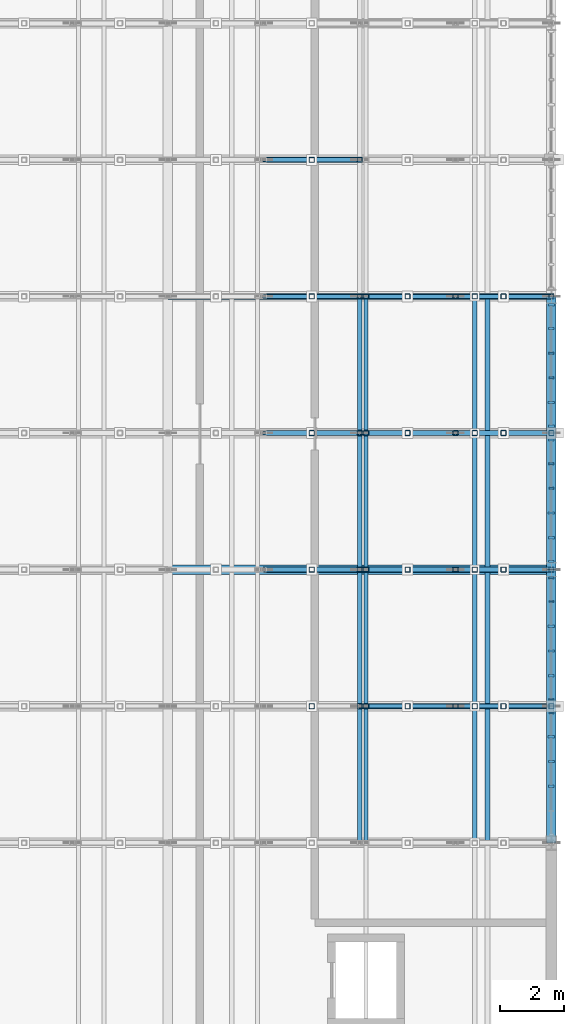
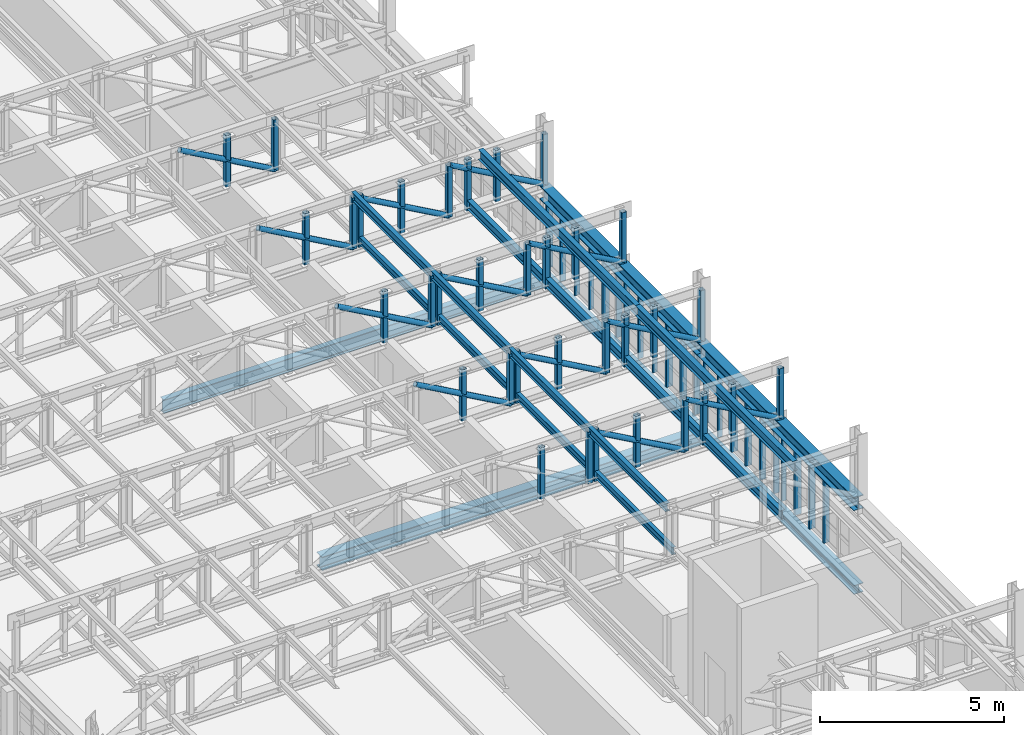
# One storey, part 50 of 128: 76 members, 6 beams, 4 elements without a shape of their own.
"""IFC4 building model written with IfcOpenShell, lengths in metres."""

from ifc_helpers import new_model, si_unit, direction, frame, origin, origin_2d, place, context, subcontext, project, spatial, rectangle, hollow_rectangle, hollow_circle, i_section, extrude, material, material_profile, profile_set, type_object, element, aggregate, save


model = new_model("IFC4")

# Units and contexts
model_context = context("Model", 3, precision=1e-05, world=origin(), true_north=direction((0.0, 1.0)))
body_context = subcontext(model_context, "Body", "Model", "MODEL_VIEW")
ifc_project = project(units=[si_unit("LENGTHUNIT", "METRE"), si_unit("AREAUNIT", "SQUARE_METRE"), si_unit("VOLUMEUNIT", "CUBIC_METRE"), si_unit("PLANEANGLEUNIT", "RADIAN"), si_unit("MASSUNIT", "GRAM", prefix="KILO")], contexts=[model_context])

# Site, building, storey
site_placement = place(None, origin())
site = spatial("IfcSite", under=ifc_project, at=site_placement, CompositionType="ELEMENT")
building_placement = place(site_placement, origin())
building = spatial("IfcBuilding", under=site, at=building_placement, Name="Serraforn Aerial Cableway Station", CompositionType="ELEMENT")
storey_placement = place(building_placement, frame((0.0, 0.0, 9.0)))
storey = spatial("IfcBuildingStorey", under=building, at=storey_placement, Name="L02", CompositionType="ELEMENT", Elevation=9.0)

# Beams
ifc_material_1 = material(Name="Steel S355JR", Category="steel")
ifc_material_profile_1 = material_profile(ifc_material_1, i_section(OverallWidth=0.300048828125, OverallDepth=0.449951171875, WebThickness=0.011474609375, FlangeThickness=0.02099609375, FilletRadius=0.027099609375, at=origin_2d()), Name="HEA 450")
ifc_profile_set_1 = profile_set([ifc_material_profile_1], Name="Steel S355JR")
beam_type_1 = type_object("IfcBeamType", Name="BM-ST-HEA450", PredefinedType="USERDEFINED", material=ifc_profile_set_1)
beam_1_placement = place(storey_placement, frame((156.0, 71.25, -0.544921875), z_axis=(1.0, 0.0, 0.0), x_axis=(0.0, 1.0, 0.0)))
element("IfcBeam", 1, at=beam_1_placement, inside=storey, type_object=beam_type_1, Name="Grid Girder X EG L02 Y4-2", ObjectType="GIRDER", PredefinedType="USERDEFINED", context=body_context, shape_type="SweptSolid", body=[
    extrude(i_section(OverallWidth=0.300048828125, OverallDepth=0.449951171875, WebThickness=0.011474609375, FlangeThickness=0.02099609375, FilletRadius=0.027099609375, at=origin_2d()), origin(), (0.0, 0.0, 1.0), 12.0),
])
ifc_material_2 = material(Name="Steel S355J2", Category="steel")
ifc_material_profile_2 = material_profile(ifc_material_2, i_section(OverallWidth=0.300048828125, OverallDepth=0.300048828125, WebThickness=0.010986328125, FlangeThickness=0.01904296875, FilletRadius=0.027099609375, at=origin_2d()), Name="HEB 300")
ifc_profile_set_2 = profile_set([ifc_material_profile_2], Name="Steel S355J2")
beam_type_2 = type_object("IfcBeamType", Name="BM-ST-HEB300", PredefinedType="BEAM", material=ifc_profile_set_2)
for number, where, z_axis, x_axis, name in (
    (2, (168.0, 62.699951171875, -0.469970703125), (0.0, 1.0, 0.0), (-1.0, 0.0, 0.0), "Grid Girder Y EG L02 X3-3"),
    (3, (168.0, 71.25, -0.469970703125), (0.0, 1.0, 0.0), (-1.0, 0.0, 0.0), "Grid Girder Y EG L02 X3-4"),
):
    element("IfcBeam", number, at=place(storey_placement, frame(where, z_axis=z_axis, x_axis=x_axis)), inside=storey, type_object=beam_type_2, Name=name, PredefinedType="BEAM", context=body_context, shape_type="SweptSolid", body=[
        extrude(i_section(OverallWidth=0.300048828125, OverallDepth=0.300048828125, WebThickness=0.010986328125, FlangeThickness=0.01904296875, FilletRadius=0.027099609375, at=origin_2d()), origin(), (0.0, 0.0, 1.0), 8.550048828125),
    ])
ifc_material_profile_3 = material_profile(ifc_material_2, i_section(OverallWidth=0.300048828125, OverallDepth=0.449951171875, WebThickness=0.013916015625, FlangeThickness=0.02587890625, FilletRadius=0.027099609375, at=origin_2d()), Name="HEB 450")
ifc_profile_set_3 = profile_set([ifc_material_profile_3], Name="Steel S355J2")
beam_type_3 = type_object("IfcBeamType", Name="BM-ST-HEB450", PredefinedType="USERDEFINED", material=ifc_profile_set_3)
for number, where, z_axis, x_axis, name in (
    (4, (168.0, 62.699951171875, 2.375), (0.0, 1.0, 0.0), (-1.0, 0.0, 0.0), "Garage Truss Support Girder E-3"),
    (5, (168.0, 71.25, 2.375), (0.0, 1.0, 0.0), (-1.0, 0.0, 0.0), "Garage Truss Support Girder E-4"),
):
    element("IfcBeam", number, at=place(storey_placement, frame(where, z_axis=z_axis, x_axis=x_axis)), inside=storey, type_object=beam_type_3, Name=name, ObjectType="GIRDER", PredefinedType="USERDEFINED", context=body_context, shape_type="SweptSolid", body=[
        extrude(i_section(OverallWidth=0.300048828125, OverallDepth=0.449951171875, WebThickness=0.013916015625, FlangeThickness=0.02587890625, FilletRadius=0.027099609375, at=origin_2d()), origin(), (0.0, 0.0, 1.0), 8.550048828125),
    ])
ifc_material_profile_4 = material_profile(ifc_material_1, i_section(OverallWidth=0.18994140625, OverallDepth=0.449951171875, WebThickness=0.009521484375, FlangeThickness=0.0146484375, FilletRadius=0.02099609375, at=origin_2d()), Name="IPE 450")
ifc_profile_set_4 = profile_set([ifc_material_profile_4], Name="Steel S355JR")
beam_type_4 = type_object("IfcBeamType", Name="BM-ST-IPE450", PredefinedType="BEAM", material=ifc_profile_set_4)
beam_2_placement = place(storey_placement, frame((156.0, 79.800048828125, -0.544921875), z_axis=(1.0, 0.0, 0.0), x_axis=(0.0, 1.0, 0.0)))
element("IfcBeam", 6, at=beam_2_placement, inside=storey, type_object=beam_type_4, Name="Grid Girder X EG L02 Y5-2", PredefinedType="BEAM", context=body_context, shape_type="SweptSolid", body=[
    extrude(i_section(OverallWidth=0.18994140625, OverallDepth=0.449951171875, WebThickness=0.009521484375, FlangeThickness=0.0146484375, FilletRadius=0.02099609375, at=origin_2d()), origin(), (0.0, 0.0, 1.0), 12.0),
])

# Curtain wall, member
ifc_material_3 = material(Name="Anodised bronze unitised curtain wall")
curtain_wall_type_1 = type_object("IfcCurtainWallType", Name="CW-SYS-27", PredefinedType="USERDEFINED", material=ifc_material_3)
curtain_wall_1_placement = place(storey_placement, origin())
curtain_wall_1 = element("IfcCurtainWall", 7, at=curtain_wall_1_placement, inside=storey, type_object=curtain_wall_type_1, Name="Unitised Curtain Wall CW-EG-L02-E3A", ObjectType="UNITISED CURTAIN WALL", PredefinedType="USERDEFINED")
ifc_material_4 = material(Name="Anodised bronze extruded aluminium", Category="aluminium")
ifc_material_profile_5 = material_profile(ifc_material_4, rectangle(XDim=0.054931640625, YDim=0.139892578125, at=origin_2d()), Name="CW MULLION 55x140")
ifc_profile_set_5 = profile_set([ifc_material_profile_5], Name="Anodised bronze extruded aluminium")
member_type_1 = type_object("IfcMemberType", Name="CW-MUL-1", PredefinedType="MULLION", material=ifc_profile_set_5)
member_1_placement = place(storey_placement, frame((168.0, 66.767578125, 0.0), z_axis=(0.0, 0.0, 1.0), x_axis=(0.0, 1.0, 0.0)))
member_1 = element("IfcMember", 8, at=member_1_placement, type_object=member_type_1, Name="Curtain Wall Mullion CW-EG-L02-E3A-M6", PredefinedType="MULLION", context=body_context, shape_type="SweptSolid", body=[
    extrude(rectangle(XDim=0.054931640625, YDim=0.139892578125, at=origin_2d()), origin(), (0.0, 0.0, 1.0), 2.1201171875),
])

curtain_wall_type_2 = type_object("IfcCurtainWallType", Name="CW-SYS-28", PredefinedType="USERDEFINED", material=ifc_material_3)
curtain_wall_2_placement = place(storey_placement, origin())
curtain_wall_2 = element("IfcCurtainWall", 9, at=curtain_wall_2_placement, inside=storey, type_object=curtain_wall_type_2, Name="Unitised Curtain Wall CW-EG-L02-E3B", ObjectType="UNITISED CURTAIN WALL", PredefinedType="USERDEFINED")
member_2_placement = place(storey_placement, frame((168.0, 70.252685546875, 0.0), z_axis=(0.0, 0.0, 1.0), x_axis=(0.0, 1.0, 0.0)))
member_2 = element("IfcMember", 10, at=member_2_placement, type_object=member_type_1, Name="Curtain Wall Mullion CW-EG-L02-E3B-M5", PredefinedType="MULLION", context=body_context, shape_type="SweptSolid", body=[
    extrude(rectangle(XDim=0.054931640625, YDim=0.139892578125, at=origin_2d()), origin(), (0.0, 0.0, 1.0), 2.1201171875),
])

curtain_wall_type_3 = type_object("IfcCurtainWallType", Name="CW-SYS-1", PredefinedType="USERDEFINED", material=ifc_material_3)
curtain_wall_3_placement = place(storey_placement, origin())
curtain_wall_3 = element("IfcCurtainWall", 11, at=curtain_wall_3_placement, inside=storey, type_object=curtain_wall_type_3, Name="Unitised Curtain Wall CW-EG-L02-E4A", ObjectType="UNITISED CURTAIN WALL", PredefinedType="USERDEFINED")
member_3_placement = place(storey_placement, frame((168.0, 73.796142578125, 0.0), z_axis=(0.0, 0.0, 1.0), x_axis=(0.0, 1.0, 0.0)))
member_3 = element("IfcMember", 12, at=member_3_placement, type_object=member_type_1, Name="Curtain Wall Mullion CW-EG-L02-E4A-M4", PredefinedType="MULLION", context=body_context, shape_type="SweptSolid", body=[
    extrude(rectangle(XDim=0.054931640625, YDim=0.139892578125, at=origin_2d()), origin(), (0.0, 0.0, 1.0), 2.1201171875),
])

curtain_wall_type_4 = type_object("IfcCurtainWallType", Name="CW-SYS-2", PredefinedType="USERDEFINED", material=ifc_material_3)
curtain_wall_4_placement = place(storey_placement, origin())
curtain_wall_4 = element("IfcCurtainWall", 13, at=curtain_wall_4_placement, inside=storey, type_object=curtain_wall_type_4, Name="Unitised Curtain Wall CW-EG-L02-E4B", ObjectType="UNITISED CURTAIN WALL", PredefinedType="USERDEFINED")
member_4_placement = place(storey_placement, frame((168.0, 77.25390625, 0.0), z_axis=(0.0, 0.0, 1.0), x_axis=(0.0, 1.0, 0.0)))
member_4 = element("IfcMember", 14, at=member_4_placement, type_object=member_type_1, Name="Curtain Wall Mullion CW-EG-L02-E4B-M3", PredefinedType="MULLION", context=body_context, shape_type="SweptSolid", body=[
    extrude(rectangle(XDim=0.054931640625, YDim=0.139892578125, at=origin_2d()), origin(), (0.0, 0.0, 1.0), 2.1201171875),
])

# Member
ifc_material_profile_6 = material_profile(ifc_material_4, rectangle(XDim=0.06005859375, YDim=0.159912109375, at=origin_2d()), Name="CW MULLION 60x160")
ifc_profile_set_6 = profile_set([ifc_material_profile_6], Name="Anodised bronze extruded aluminium")
member_type_2 = type_object("IfcMemberType", Name="CW-MUL-2", PredefinedType="MULLION", material=ifc_profile_set_6)
member_5_placement = place(storey_placement, frame((168.0, 67.18505859375, 0.0), z_axis=(0.0, 0.0, 1.0), x_axis=(0.0, 1.0, 0.0)))
member_5 = element("IfcMember", 15, at=member_5_placement, type_object=member_type_2, Name="Curtain Wall Mullion CW-EG-L02-E3B-M1", PredefinedType="MULLION", context=body_context, shape_type="SweptSolid", body=[
    extrude(rectangle(XDim=0.06005859375, YDim=0.159912109375, at=origin_2d()), origin(), (0.0, 0.0, 1.0), 2.1201171875),
])

member_6_placement = place(storey_placement, frame((168.0, 70.9970703125, 0.0), z_axis=(0.0, 0.0, 1.0), x_axis=(0.0, 1.0, 0.0)))
member_6 = element("IfcMember", 16, at=member_6_placement, type_object=member_type_2, Name="Curtain Wall Mullion CW-EG-L02-E3B-M6", PredefinedType="MULLION", context=body_context, shape_type="SweptSolid", body=[
    extrude(rectangle(XDim=0.06005859375, YDim=0.159912109375, at=origin_2d()), origin(), (0.0, 0.0, 1.0), 2.1201171875),
])

member_7_placement = place(storey_placement, frame((168.0, 74.570556640625, 0.0), z_axis=(0.0, 0.0, 1.0), x_axis=(0.0, 1.0, 0.0)))
member_7 = element("IfcMember", 17, at=member_7_placement, type_object=member_type_2, Name="Curtain Wall Mullion CW-EG-L02-E4A-M5", PredefinedType="MULLION", context=body_context, shape_type="SweptSolid", body=[
    extrude(rectangle(XDim=0.06005859375, YDim=0.159912109375, at=origin_2d()), origin(), (0.0, 0.0, 1.0), 2.1201171875),
])

member_8_placement = place(storey_placement, frame((168.0, 78.0283203125, 0.0), z_axis=(0.0, 0.0, 1.0), x_axis=(0.0, 1.0, 0.0)))
member_8 = element("IfcMember", 18, at=member_8_placement, type_object=member_type_2, Name="Curtain Wall Mullion CW-EG-L02-E4B-M4", PredefinedType="MULLION", context=body_context, shape_type="SweptSolid", body=[
    extrude(rectangle(XDim=0.06005859375, YDim=0.159912109375, at=origin_2d()), origin(), (0.0, 0.0, 1.0), 2.1201171875),
])

ifc_material_profile_7 = material_profile(ifc_material_4, rectangle(XDim=0.06494140625, YDim=0.175048828125, at=origin_2d()), Name="CW MULLION 65x175")
ifc_profile_set_7 = profile_set([ifc_material_profile_7], Name="Anodised bronze extruded aluminium")
member_type_3 = type_object("IfcMemberType", Name="CW-MUL-3", PredefinedType="MULLION", material=ifc_profile_set_7)
member_9_placement = place(storey_placement, frame((168.0, 64.4716796875, 0.0), z_axis=(0.0, 0.0, 1.0), x_axis=(0.0, 1.0, 0.0)))
member_9 = element("IfcMember", 19, at=member_9_placement, type_object=member_type_3, Name="Curtain Wall Mullion CW-EG-L02-E3A-M3", PredefinedType="MULLION", context=body_context, shape_type="SweptSolid", body=[
    extrude(rectangle(XDim=0.06494140625, YDim=0.175048828125, at=origin_2d()), origin(), (0.0, 0.0, 1.0), 2.1201171875),
])

member_10_placement = place(storey_placement, frame((168.0, 67.929443359375, 0.0), z_axis=(0.0, 0.0, 1.0), x_axis=(0.0, 1.0, 0.0)))
member_10 = element("IfcMember", 20, at=member_10_placement, type_object=member_type_3, Name="Curtain Wall Mullion CW-EG-L02-E3B-M2", PredefinedType="MULLION", context=body_context, shape_type="SweptSolid", body=[
    extrude(rectangle(XDim=0.06494140625, YDim=0.175048828125, at=origin_2d()), origin(), (0.0, 0.0, 1.0), 2.1201171875),
])

member_11_placement = place(storey_placement, frame((168.0, 71.505615234375, 0.0), z_axis=(0.0, 0.0, 1.0), x_axis=(0.0, 1.0, 0.0)))
member_11 = element("IfcMember", 21, at=member_11_placement, type_object=member_type_3, Name="Curtain Wall Mullion CW-EG-L02-E4A-M1", PredefinedType="MULLION", context=body_context, shape_type="SweptSolid", body=[
    extrude(rectangle(XDim=0.06494140625, YDim=0.175048828125, at=origin_2d()), origin(), (0.0, 0.0, 1.0), 2.1201171875),
])

member_12_placement = place(storey_placement, frame((168.0, 75.3125, 0.0), z_axis=(0.0, 0.0, 1.0), x_axis=(0.0, 1.0, 0.0)))
member_12 = element("IfcMember", 22, at=member_12_placement, type_object=member_type_3, Name="Curtain Wall Mullion CW-EG-L02-E4A-M6", PredefinedType="MULLION", context=body_context, shape_type="SweptSolid", body=[
    extrude(rectangle(XDim=0.06494140625, YDim=0.175048828125, at=origin_2d()), origin(), (0.0, 0.0, 1.0), 2.1201171875),
])

member_13_placement = place(storey_placement, frame((168.0, 78.802490234375, 0.0), z_axis=(0.0, 0.0, 1.0), x_axis=(0.0, 1.0, 0.0)))
member_13 = element("IfcMember", 23, at=member_13_placement, type_object=member_type_3, Name="Curtain Wall Mullion CW-EG-L02-E4B-M5", PredefinedType="MULLION", context=body_context, shape_type="SweptSolid", body=[
    extrude(rectangle(XDim=0.06494140625, YDim=0.175048828125, at=origin_2d()), origin(), (0.0, 0.0, 1.0), 2.1201171875),
])

ifc_material_profile_8 = material_profile(ifc_material_4, rectangle(XDim=0.070068359375, YDim=0.18994140625, at=origin_2d()), Name="CW MULLION 70x190")
ifc_profile_set_8 = profile_set([ifc_material_profile_8], Name="Anodised bronze extruded aluminium")
member_type_4 = type_object("IfcMemberType", Name="CW-MUL-4", PredefinedType="MULLION", material=ifc_profile_set_8)
member_14_placement = place(storey_placement, frame((168.0, 65.24609375, 0.0), z_axis=(0.0, 0.0, 1.0), x_axis=(0.0, 1.0, 0.0)))
member_14 = element("IfcMember", 24, at=member_14_placement, type_object=member_type_4, Name="Curtain Wall Mullion CW-EG-L02-E3A-M4", PredefinedType="MULLION", context=body_context, shape_type="SweptSolid", body=[
    extrude(rectangle(XDim=0.070068359375, YDim=0.18994140625, at=origin_2d()), origin(), (0.0, 0.0, 1.0), 2.1201171875),
])

member_15_placement = place(storey_placement, frame((168.0, 68.703857421875, 0.0), z_axis=(0.0, 0.0, 1.0), x_axis=(0.0, 1.0, 0.0)))
member_15 = element("IfcMember", 25, at=member_15_placement, type_object=member_type_4, Name="Curtain Wall Mullion CW-EG-L02-E3B-M3", PredefinedType="MULLION", context=body_context, shape_type="SweptSolid", body=[
    extrude(rectangle(XDim=0.070068359375, YDim=0.18994140625, at=origin_2d()), origin(), (0.0, 0.0, 1.0), 2.1201171875),
])

member_16_placement = place(storey_placement, frame((168.0, 72.247314453125, 0.0), z_axis=(0.0, 0.0, 1.0), x_axis=(0.0, 1.0, 0.0)))
member_16 = element("IfcMember", 26, at=member_16_placement, type_object=member_type_4, Name="Curtain Wall Mullion CW-EG-L02-E4A-M2", PredefinedType="MULLION", context=body_context, shape_type="SweptSolid", body=[
    extrude(rectangle(XDim=0.070068359375, YDim=0.18994140625, at=origin_2d()), origin(), (0.0, 0.0, 1.0), 2.1201171875),
])

member_17_placement = place(storey_placement, frame((168.0, 75.739990234375, 0.0), z_axis=(0.0, 0.0, 1.0), x_axis=(0.0, 1.0, 0.0)))
member_17 = element("IfcMember", 27, at=member_17_placement, type_object=member_type_4, Name="Curtain Wall Mullion CW-EG-L02-E4B-M1", PredefinedType="MULLION", context=body_context, shape_type="SweptSolid", body=[
    extrude(rectangle(XDim=0.070068359375, YDim=0.18994140625, at=origin_2d()), origin(), (0.0, 0.0, 1.0), 2.1201171875),
])

member_18_placement = place(storey_placement, frame((168.0, 79.5419921875, 0.0), z_axis=(0.0, 0.0, 1.0), x_axis=(0.0, 1.0, 0.0)))
member_18 = element("IfcMember", 28, at=member_18_placement, type_object=member_type_4, Name="Curtain Wall Mullion CW-EG-L02-E4B-M6", PredefinedType="MULLION", context=body_context, shape_type="SweptSolid", body=[
    extrude(rectangle(XDim=0.070068359375, YDim=0.18994140625, at=origin_2d()), origin(), (0.0, 0.0, 1.0), 2.1201171875),
])

ifc_material_profile_9 = material_profile(ifc_material_4, rectangle(XDim=0.074951171875, YDim=0.199951171875, at=origin_2d()), Name="CW MULLION 75x200")
ifc_profile_set_9 = profile_set([ifc_material_profile_9], Name="Anodised bronze extruded aluminium")
member_type_5 = type_object("IfcMemberType", Name="CW-MUL-5", PredefinedType="MULLION", material=ifc_profile_set_9)
member_19_placement = place(storey_placement, frame((168.0, 66.0205078125, 0.0), z_axis=(0.0, 0.0, 1.0), x_axis=(0.0, 1.0, 0.0)))
member_19 = element("IfcMember", 29, at=member_19_placement, type_object=member_type_5, Name="Curtain Wall Mullion CW-EG-L02-E3A-M5", PredefinedType="MULLION", context=body_context, shape_type="SweptSolid", body=[
    extrude(rectangle(XDim=0.074951171875, YDim=0.199951171875, at=origin_2d()), origin(), (0.0, 0.0, 1.0), 2.1201171875),
])

aggregate(curtain_wall_1, [member_9, member_14, member_19, member_1])

member_20_placement = place(storey_placement, frame((168.0, 69.478271484375, 0.0), z_axis=(0.0, 0.0, 1.0), x_axis=(0.0, 1.0, 0.0)))
member_20 = element("IfcMember", 30, at=member_20_placement, type_object=member_type_5, Name="Curtain Wall Mullion CW-EG-L02-E3B-M4", PredefinedType="MULLION", context=body_context, shape_type="SweptSolid", body=[
    extrude(rectangle(XDim=0.074951171875, YDim=0.199951171875, at=origin_2d()), origin(), (0.0, 0.0, 1.0), 2.1201171875),
])

aggregate(curtain_wall_2, [member_5, member_10, member_15, member_20, member_2, member_6])

member_21_placement = place(storey_placement, frame((168.0, 73.021728515625, 0.0), z_axis=(0.0, 0.0, 1.0), x_axis=(0.0, 1.0, 0.0)))
member_21 = element("IfcMember", 31, at=member_21_placement, type_object=member_type_5, Name="Curtain Wall Mullion CW-EG-L02-E4A-M3", PredefinedType="MULLION", context=body_context, shape_type="SweptSolid", body=[
    extrude(rectangle(XDim=0.074951171875, YDim=0.199951171875, at=origin_2d()), origin(), (0.0, 0.0, 1.0), 2.1201171875),
])

aggregate(curtain_wall_3, [member_11, member_16, member_21, member_3, member_7, member_12])

member_22_placement = place(storey_placement, frame((168.0, 76.4794921875, 0.0), z_axis=(0.0, 0.0, 1.0), x_axis=(0.0, 1.0, 0.0)))
member_22 = element("IfcMember", 32, at=member_22_placement, type_object=member_type_5, Name="Curtain Wall Mullion CW-EG-L02-E4B-M2", PredefinedType="MULLION", context=body_context, shape_type="SweptSolid", body=[
    extrude(rectangle(XDim=0.074951171875, YDim=0.199951171875, at=origin_2d()), origin(), (0.0, 0.0, 1.0), 2.1201171875),
])

aggregate(curtain_wall_4, [member_17, member_22, member_4, member_8, member_13, member_18])

# Members
ifc_material_profile_10 = material_profile(ifc_material_2, hollow_circle(Radius=0.084228515625, WallThickness=0.008056640625, at=origin_2d()), Name="CHS 168.3x8.0")
ifc_profile_set_10 = profile_set([ifc_material_profile_10], Name="Steel S355J2")
member_type_6 = type_object("IfcMemberType", Name="MEM-DG-CHS168", PredefinedType="BRACE", material=ifc_profile_set_10)
for number, where, z_axis, x_axis, name in (
    (33, (162.0, 66.97509765625, 4.2900390625), (0.871272396707, 0.0, -0.490799766439), (0.0, 1.0, 0.0), "Garage Truss GT-04 Diagonal 7"),
    (34, (165.0, 66.97509765625, 4.2900390625), (0.871272396707, 0.0, -0.490799766439), (0.0, 1.0, 0.0), "Garage Truss GT-04 Diagonal 8"),
    (35, (159.0, 71.25, 4.2900390625), (0.871272396707, 0.0, -0.490799766439), (0.0, 1.0, 0.0), "Garage Truss GT-05 Diagonal 6"),
    (36, (162.0, 71.25, 4.2900390625), (0.871272396707, 0.0, -0.490799766439), (0.0, 1.0, 0.0), "Garage Truss GT-05 Diagonal 7"),
    (37, (165.0, 71.25, 4.2900390625), (0.871272396707, 0.0, -0.490799766439), (0.0, 1.0, 0.0), "Garage Truss GT-05 Diagonal 8"),
    (38, (159.0, 75.52490234375, 4.2900390625), (0.871272396707, 0.0, -0.490799766439), (0.0, 1.0, 0.0), "Garage Truss GT-06 Diagonal 6"),
    (39, (162.0, 75.52490234375, 4.2900390625), (0.871272396707, 0.0, -0.490799766439), (0.0, 1.0, 0.0), "Garage Truss GT-06 Diagonal 7"),
    (40, (165.0, 75.52490234375, 4.2900390625), (0.871272396707, 0.0, -0.490799766439), (0.0, 1.0, 0.0), "Garage Truss GT-06 Diagonal 8"),
    (41, (159.0, 79.800048828125, 4.2900390625), (0.871272396707, 0.0, -0.490799766439), (0.0, 1.0, 0.0), "Garage Truss GT-07 Diagonal 6"),
    (42, (162.0, 79.800048828125, 4.2900390625), (0.871272396707, 0.0, -0.490799766439), (0.0, 1.0, 0.0), "Garage Truss GT-07 Diagonal 7"),
    (43, (165.0, 79.800048828125, 4.2900390625), (0.871272396707, 0.0, -0.490799766439), (0.0, 1.0, 0.0), "Garage Truss GT-07 Diagonal 8"),
    (44, (159.0, 84.074951171875, 4.2900390625), (0.871272396707, 0.0, -0.490799766439), (0.0, 1.0, 0.0), "Garage Truss GT-08 Diagonal 6"),
):
    element("IfcMember", number, at=place(storey_placement, frame(where, z_axis=z_axis, x_axis=x_axis)), inside=storey, type_object=member_type_6, Name=name, PredefinedType="BRACE", context=body_context, shape_type="SweptSolid", body=[
        extrude(hollow_circle(Radius=0.084228515625, WallThickness=0.008056640625, at=origin_2d()), origin(), (0.0, 0.0, 1.0), 3.443359375),
    ])
ifc_material_profile_11 = material_profile(ifc_material_1, i_section(OverallWidth=0.135009765625, OverallDepth=0.27001953125, WebThickness=0.006591796875, FlangeThickness=0.01025390625, FilletRadius=0.014892578125, at=origin_2d()), Name="IPE 270")
ifc_profile_set_11 = profile_set([ifc_material_profile_11], Name="Steel S355JR")
member_type_7 = type_object("IfcMemberType", Name="MEM-PR-IPE270", PredefinedType="PURLIN", material=ifc_profile_set_11)
for number, where, z_axis, x_axis, name in (
    (45, (162.0, 62.699951171875, 4.3349609375), (0.0, 1.0, 0.0), (-1.0, 0.0, 0.0), "Fleet Garage Roof Purlin 3-5"),
    (46, (162.0, 71.25, 4.3349609375), (0.0, 1.0, 0.0), (-1.0, 0.0, 0.0), "Fleet Garage Roof Purlin 4-5"),
):
    element("IfcMember", number, at=place(storey_placement, frame(where, z_axis=z_axis, x_axis=x_axis)), inside=storey, type_object=member_type_7, Name=name, PredefinedType="PURLIN", context=body_context, shape_type="SweptSolid", body=[
        extrude(i_section(OverallWidth=0.135009765625, OverallDepth=0.27001953125, WebThickness=0.006591796875, FlangeThickness=0.01025390625, FilletRadius=0.014892578125, at=origin_2d()), origin(), (0.0, 0.0, 1.0), 8.550048828125),
    ])
ifc_material_profile_12 = material_profile(ifc_material_1, i_section(OverallWidth=0.159912109375, OverallDepth=0.330078125, WebThickness=0.007568359375, FlangeThickness=0.011474609375, FilletRadius=0.01806640625, at=origin_2d()), Name="IPE 330")
ifc_profile_set_12 = profile_set([ifc_material_profile_12], Name="Steel S355JR")
member_type_8 = type_object("IfcMemberType", Name="MEM-PR-IPE330", PredefinedType="PURLIN", material=ifc_profile_set_12)
for number, where, z_axis, x_axis, name in (
    (47, (166.0, 62.699951171875, 4.304931640625), (0.0, 1.0, 0.0), (-1.0, 0.0, 0.0), "Fleet Garage Roof Purlin 3-6"),
    (48, (166.0, 71.25, 4.304931640625), (0.0, 1.0, 0.0), (-1.0, 0.0, 0.0), "Fleet Garage Roof Purlin 4-6"),
):
    element("IfcMember", number, at=place(storey_placement, frame(where, z_axis=z_axis, x_axis=x_axis)), inside=storey, type_object=member_type_8, Name=name, PredefinedType="PURLIN", context=body_context, shape_type="SweptSolid", body=[
        extrude(i_section(OverallWidth=0.159912109375, OverallDepth=0.330078125, WebThickness=0.007568359375, FlangeThickness=0.011474609375, FilletRadius=0.01806640625, at=origin_2d()), origin(), (0.0, 0.0, 1.0), 8.550048828125),
    ])
ifc_material_profile_13 = material_profile(ifc_material_2, i_section(OverallWidth=0.1201171875, OverallDepth=0.239990234375, WebThickness=0.006103515625, FlangeThickness=0.009765625, FilletRadius=0.014892578125, at=origin_2d()), Name="IPE 240")
ifc_profile_set_13 = profile_set([ifc_material_profile_13], Name="Steel S355J2")
member_type_9 = type_object("IfcMemberType", Name="MEM-RL-IPE240", PredefinedType="USERDEFINED", material=ifc_profile_set_13)
for number, where, z_axis, x_axis, name in (
    (49, (162.199951171875, 62.699951171875, 2.820068359375), (0.0, 1.0, 0.0), (-1.0, 0.0, 0.0), "Overhead Cabin Storage Track Rail 5-2"),
    (50, (162.199951171875, 71.25, 2.820068359375), (0.0, 1.0, 0.0), (-1.0, 0.0, 0.0), "Overhead Cabin Storage Track Rail 5-3"),
):
    element("IfcMember", number, at=place(storey_placement, frame(where, z_axis=z_axis, x_axis=x_axis)), inside=storey, type_object=member_type_9, Name=name, ObjectType="OVERHEAD TRACK RAIL", PredefinedType="USERDEFINED", context=body_context, shape_type="SweptSolid", body=[
        extrude(i_section(OverallWidth=0.1201171875, OverallDepth=0.239990234375, WebThickness=0.006103515625, FlangeThickness=0.009765625, FilletRadius=0.014892578125, at=origin_2d()), origin(), (0.0, 0.0, 1.0), 8.550048828125),
    ])
ifc_material_profile_14 = material_profile(ifc_material_2, i_section(OverallWidth=0.14990234375, OverallDepth=0.300048828125, WebThickness=0.007080078125, FlangeThickness=0.0107421875, FilletRadius=0.014892578125, at=origin_2d()), Name="IPE 300")
ifc_profile_set_14 = profile_set([ifc_material_profile_14], Name="Steel S355J2")
member_type_10 = type_object("IfcMemberType", Name="MEM-RL-IPE300", PredefinedType="USERDEFINED", material=ifc_profile_set_14)
for number, where, z_axis, x_axis, name in (
    (51, (165.60009765625, 62.699951171875, 2.820068359375), (0.0, 1.0, 0.0), (-1.0, 0.0, 0.0), "Overhead Cabin Storage Track Rail 6-2"),
    (52, (165.60009765625, 71.25, 2.820068359375), (0.0, 1.0, 0.0), (-1.0, 0.0, 0.0), "Overhead Cabin Storage Track Rail 6-3"),
):
    element("IfcMember", number, at=place(storey_placement, frame(where, z_axis=z_axis, x_axis=x_axis)), inside=storey, type_object=member_type_10, Name=name, ObjectType="OVERHEAD TRACK RAIL", PredefinedType="USERDEFINED", context=body_context, shape_type="SweptSolid", body=[
        extrude(i_section(OverallWidth=0.14990234375, OverallDepth=0.300048828125, WebThickness=0.007080078125, FlangeThickness=0.0107421875, FilletRadius=0.014892578125, at=origin_2d()), origin(), (0.0, 0.0, 1.0), 8.550048828125),
    ])
ifc_material_profile_15 = material_profile(ifc_material_2, hollow_rectangle(XDim=0.159912109375, YDim=0.159912109375, WallThickness=0.008056640625, InnerFilletRadius=0.008056640625, OuterFilletRadius=0.01611328125, at=origin_2d()), Name="SHS 160x160x8.0")
ifc_profile_set_15 = profile_set([ifc_material_profile_15], Name="Steel S355J2")
member_type_11 = type_object("IfcMemberType", Name="MEM-VP-SHS160", PredefinedType="STRUT", material=ifc_profile_set_15)
for number, where, z_axis, x_axis, name in (
    (53, (162.0, 66.97509765625, 2.590087890625), (0.0, 0.0, 1.0), (1.0, 0.0, 0.0), "Garage Truss GT-04 Post 7"),
    (54, (165.0, 66.97509765625, 2.590087890625), (0.0, 0.0, 1.0), (1.0, 0.0, 0.0), "Garage Truss GT-04 Post 8"),
    (55, (168.0, 66.97509765625, 2.590087890625), (0.0, 0.0, 1.0), (1.0, 0.0, 0.0), "Garage Truss GT-04 Post 9"),
    (56, (162.0, 71.25, 2.590087890625), (0.0, 0.0, 1.0), (1.0, 0.0, 0.0), "Garage Truss GT-05 Post 7"),
    (57, (165.0, 71.25, 2.590087890625), (0.0, 0.0, 1.0), (1.0, 0.0, 0.0), "Garage Truss GT-05 Post 8"),
    (58, (168.0, 71.25, 2.590087890625), (0.0, 0.0, 1.0), (1.0, 0.0, 0.0), "Garage Truss GT-05 Post 9"),
    (59, (162.0, 75.52490234375, 2.590087890625), (0.0, 0.0, 1.0), (1.0, 0.0, 0.0), "Garage Truss GT-06 Post 7"),
    (60, (165.0, 75.52490234375, 2.590087890625), (0.0, 0.0, 1.0), (1.0, 0.0, 0.0), "Garage Truss GT-06 Post 8"),
    (61, (168.0, 75.52490234375, 2.590087890625), (0.0, 0.0, 1.0), (1.0, 0.0, 0.0), "Garage Truss GT-06 Post 9"),
    (62, (162.0, 79.800048828125, 2.590087890625), (0.0, 0.0, 1.0), (1.0, 0.0, 0.0), "Garage Truss GT-07 Post 7"),
    (63, (165.0, 79.800048828125, 2.590087890625), (0.0, 0.0, 1.0), (1.0, 0.0, 0.0), "Garage Truss GT-07 Post 8"),
    (64, (168.0, 79.800048828125, 2.590087890625), (0.0, 0.0, 1.0), (1.0, 0.0, 0.0), "Garage Truss GT-07 Post 9"),
    (65, (162.0, 84.074951171875, 2.590087890625), (0.0, 0.0, 1.0), (1.0, 0.0, 0.0), "Garage Truss GT-08 Post 7"),
    (66, (162.199951171875, 66.97509765625, 2.590087890625), (0.0, 0.0, 1.0), (1.0, 0.0, 0.0), "Overhead Rail Suspension Post 017"),
    (67, (165.60009765625, 66.97509765625, 2.590087890625), (0.0, 0.0, 1.0), (1.0, 0.0, 0.0), "Overhead Rail Suspension Post 018"),
    (68, (162.199951171875, 71.25, 2.590087890625), (0.0, 0.0, 1.0), (1.0, 0.0, 0.0), "Overhead Rail Suspension Post 023"),
    (69, (165.60009765625, 71.25, 2.590087890625), (0.0, 0.0, 1.0), (1.0, 0.0, 0.0), "Overhead Rail Suspension Post 024"),
    (70, (162.199951171875, 75.52490234375, 2.590087890625), (0.0, 0.0, 1.0), (1.0, 0.0, 0.0), "Overhead Rail Suspension Post 029"),
    (71, (165.60009765625, 75.52490234375, 2.590087890625), (0.0, 0.0, 1.0), (1.0, 0.0, 0.0), "Overhead Rail Suspension Post 030"),
    (72, (162.199951171875, 79.800048828125, 2.590087890625), (0.0, 0.0, 1.0), (1.0, 0.0, 0.0), "Overhead Rail Suspension Post 035"),
    (73, (165.60009765625, 79.800048828125, 2.590087890625), (0.0, 0.0, 1.0), (1.0, 0.0, 0.0), "Overhead Rail Suspension Post 036"),
    (74, (160.5, 66.97509765625, 2.590087890625), (0.0, 0.0, 1.0), (1.0, 0.0, 0.0), "Garage Truss GT-04 Sub-Vertical 6"),
    (75, (163.5, 66.97509765625, 2.590087890625), (0.0, 0.0, 1.0), (1.0, 0.0, 0.0), "Garage Truss GT-04 Sub-Vertical 7"),
    (76, (166.5, 66.97509765625, 2.590087890625), (0.0, 0.0, 1.0), (1.0, 0.0, 0.0), "Garage Truss GT-04 Sub-Vertical 8"),
    (77, (160.5, 71.25, 2.590087890625), (0.0, 0.0, 1.0), (1.0, 0.0, 0.0), "Garage Truss GT-05 Sub-Vertical 6"),
    (78, (163.5, 71.25, 2.590087890625), (0.0, 0.0, 1.0), (1.0, 0.0, 0.0), "Garage Truss GT-05 Sub-Vertical 7"),
    (79, (166.5, 71.25, 2.590087890625), (0.0, 0.0, 1.0), (1.0, 0.0, 0.0), "Garage Truss GT-05 Sub-Vertical 8"),
    (80, (160.5, 75.52490234375, 2.590087890625), (0.0, 0.0, 1.0), (1.0, 0.0, 0.0), "Garage Truss GT-06 Sub-Vertical 6"),
    (81, (163.5, 75.52490234375, 2.590087890625), (0.0, 0.0, 1.0), (1.0, 0.0, 0.0), "Garage Truss GT-06 Sub-Vertical 7"),
    (82, (166.5, 75.52490234375, 2.590087890625), (0.0, 0.0, 1.0), (1.0, 0.0, 0.0), "Garage Truss GT-06 Sub-Vertical 8"),
    (83, (160.5, 79.800048828125, 2.590087890625), (0.0, 0.0, 1.0), (1.0, 0.0, 0.0), "Garage Truss GT-07 Sub-Vertical 6"),
    (84, (163.5, 79.800048828125, 2.590087890625), (0.0, 0.0, 1.0), (1.0, 0.0, 0.0), "Garage Truss GT-07 Sub-Vertical 7"),
    (85, (166.5, 79.800048828125, 2.590087890625), (0.0, 0.0, 1.0), (1.0, 0.0, 0.0), "Garage Truss GT-07 Sub-Vertical 8"),
    (86, (160.5, 84.074951171875, 2.590087890625), (0.0, 0.0, 1.0), (1.0, 0.0, 0.0), "Garage Truss GT-08 Sub-Vertical 6"),
):
    element("IfcMember", number, at=place(storey_placement, frame(where, z_axis=z_axis, x_axis=x_axis)), inside=storey, type_object=member_type_11, Name=name, PredefinedType="STRUT", context=body_context, shape_type="SweptSolid", body=[
        extrude(hollow_rectangle(XDim=0.159912109375, YDim=0.159912109375, WallThickness=0.008056640625, InnerFilletRadius=0.008056640625, OuterFilletRadius=0.01611328125, at=origin_2d()), origin(), (0.0, 0.0, 1.0), 1.7099609375),
    ])

save(model, "model.ifc")
